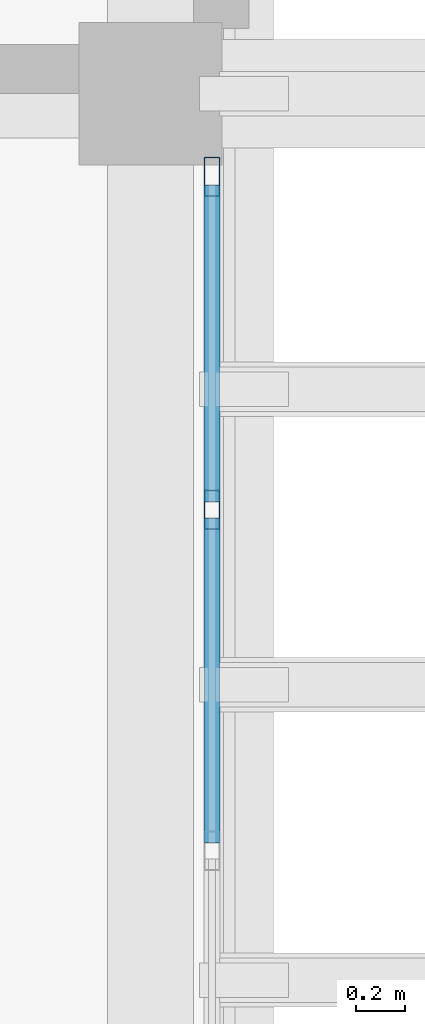
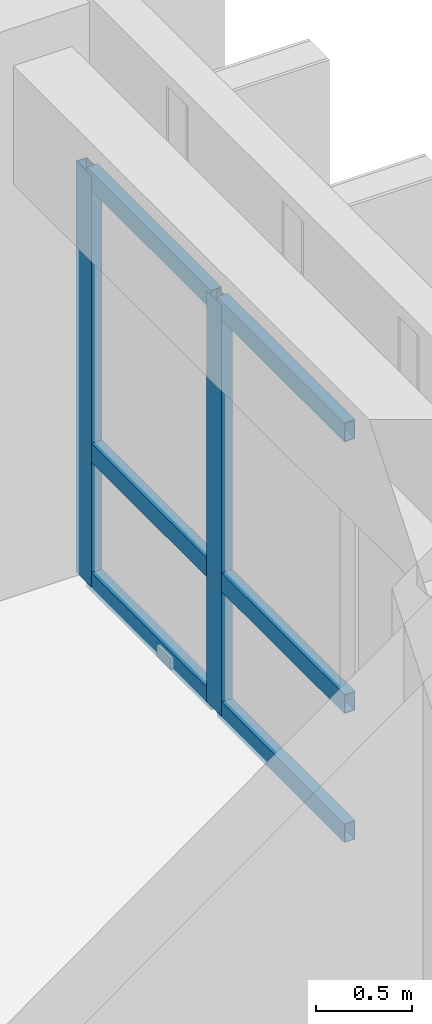
# One storey, part 16 of 49: 8 members, 1 element without a shape of its own.
"""IFC4 building model written with IfcOpenShell, lengths in metres."""

from ifc_helpers import new_model, si_unit, direction, frame, origin, origin_2d, place, context, subcontext, project, spatial, hollow_rectangle, extrude, material, layer, layer_set, material_profile, profile_set, type_object, element, aggregate, save


model = new_model("IFC4")

# Units and contexts
model_context = context("Model", 3, precision=1e-05, world=origin(), true_north=direction((0.0, 1.0)))
body_context = subcontext(model_context, "Body", "Model", "MODEL_VIEW")
ifc_project = project(units=[si_unit("LENGTHUNIT", "METRE"), si_unit("AREAUNIT", "SQUARE_METRE"), si_unit("VOLUMEUNIT", "CUBIC_METRE"), si_unit("PLANEANGLEUNIT", "RADIAN"), si_unit("MASSUNIT", "GRAM", prefix="KILO")], contexts=[model_context])

# Site, building, storey
site_placement = place(None, origin())
site = spatial("IfcSite", under=ifc_project, at=site_placement, CompositionType="ELEMENT")
building_placement = place(site_placement, origin())
building = spatial("IfcBuilding", under=site, at=building_placement, Name="Nakhvara Creek Congress Hotel", CompositionType="ELEMENT")
storey_placement = place(building_placement, frame((0.0, 0.0, 39.0)))
storey = spatial("IfcBuildingStorey", under=building, at=storey_placement, Name="L09", CompositionType="ELEMENT", Elevation=39.0)

# Curtain wall, members
ifc_material_1 = material(Name="Bronze-anodised aluminium AW-6063-T6 and double-silver low-E glass", Category="aluminium")
ifc_layer = layer(ifc_material_1, 0.199951171875)
ifc_layer_set = layer_set([ifc_layer], Name="Bronze-anodised aluminium AW-6063-T6 and double-silver low-E glass")
curtain_wall_type = type_object("IfcCurtainWallType", Name="CW-HTL-UNIT", PredefinedType="USERDEFINED", material=ifc_layer_set)
curtain_wall_placement = place(storey_placement, origin())
curtain_wall = element("IfcCurtainWall", 1, at=curtain_wall_placement, inside=storey, type_object=curtain_wall_type, Name="Curtain Wall CW301", ObjectType="UNITISED", PredefinedType="USERDEFINED")
ifc_material_2 = material(Name="Bronze-anodised aluminium AW-6063-T6", Category="aluminium")
ifc_material_profile_1 = material_profile(ifc_material_2, hollow_rectangle(XDim=0.06494140625, YDim=0.159912109375, WallThickness=0.00390625, at=origin_2d()), Name="ALU-MULL 65x160x4", Category="LoadBearing")
ifc_profile_set_1 = profile_set([ifc_material_profile_1], Name="Bronze-anodised aluminium AW-6063-T6")
member_type_1 = type_object("IfcMemberType", Name="CW-MULL-160", PredefinedType="MULLION", material=ifc_profile_set_1)
member_1_placement = place(storey_placement, frame((179.60009765625, 81.262451171875, 0.0), z_axis=(0.0, 0.0, 1.0), x_axis=(1.0, 0.0, 0.0)))
member_1 = element("IfcMember", 2, at=member_1_placement, type_object=member_type_1, Name="CW301 mullion 1", PredefinedType="MULLION", context=body_context, shape_type="SweptSolid", body=[
    extrude(hollow_rectangle(XDim=0.06494140625, YDim=0.159912109375, WallThickness=0.00390625, at=origin_2d()), origin(), (0.0, 0.0, 1.0), 2.60205078125),
])
member_2_placement = place(storey_placement, frame((179.60009765625, 79.909912109375, 0.0), z_axis=(0.0, 0.0, 1.0), x_axis=(1.0, 0.0, 0.0)))
member_2 = element("IfcMember", 3, at=member_2_placement, type_object=member_type_1, Name="CW301 mullion 2", PredefinedType="MULLION", context=body_context, shape_type="SweptSolid", body=[
    extrude(hollow_rectangle(XDim=0.06494140625, YDim=0.159912109375, WallThickness=0.00390625, at=origin_2d()), origin(), (0.0, 0.0, 1.0), 2.60205078125),
])
ifc_material_profile_2 = material_profile(ifc_material_2, hollow_rectangle(XDim=0.06494140625, YDim=0.1201171875, WallThickness=0.00390625, at=origin_2d()), Name="ALU-TRAN 65x120x4", Category="LoadBearing")
ifc_profile_set_2 = profile_set([ifc_material_profile_2], Name="Bronze-anodised aluminium AW-6063-T6")
member_type_2 = type_object("IfcMemberType", Name="CW-TRAN-120", PredefinedType="USERDEFINED", material=ifc_profile_set_2)
member_3_placement = place(storey_placement, frame((179.60009765625, 81.22998046875, 0.032470703125), z_axis=(0.0, -1.0, 0.0), x_axis=(1.0, 0.0, 0.0)))
member_3 = element("IfcMember", 4, at=member_3_placement, type_object=member_type_2, Name="CW301 transom 1.1", ObjectType="TRANSOM", PredefinedType="USERDEFINED", context=body_context, shape_type="SweptSolid", body=[
    extrude(hollow_rectangle(XDim=0.06494140625, YDim=0.1201171875, WallThickness=0.00390625, at=origin_2d()), origin(), (0.0, 0.0, 1.0), 1.28759765625),
])
member_4_placement = place(storey_placement, frame((179.60009765625, 81.22998046875, 0.85009765625), z_axis=(0.0, -1.0, 0.0), x_axis=(1.0, 0.0, 0.0)))
member_4 = element("IfcMember", 5, at=member_4_placement, type_object=member_type_2, Name="CW301 transom 1.2", ObjectType="TRANSOM", PredefinedType="USERDEFINED", context=body_context, shape_type="SweptSolid", body=[
    extrude(hollow_rectangle(XDim=0.06494140625, YDim=0.1201171875, WallThickness=0.00390625, at=origin_2d()), origin(), (0.0, 0.0, 1.0), 1.28759765625),
])
member_5_placement = place(storey_placement, frame((179.60009765625, 81.22998046875, 2.569580078125), z_axis=(0.0, -1.0, 0.0), x_axis=(1.0, 0.0, 0.0)))
member_5 = element("IfcMember", 6, at=member_5_placement, type_object=member_type_2, Name="CW301 transom 1.3", ObjectType="TRANSOM", PredefinedType="USERDEFINED", context=body_context, shape_type="SweptSolid", body=[
    extrude(hollow_rectangle(XDim=0.06494140625, YDim=0.1201171875, WallThickness=0.00390625, at=origin_2d()), origin(), (0.0, 0.0, 1.0), 1.28759765625),
])
member_6_placement = place(storey_placement, frame((179.60009765625, 79.87744140625, 0.032470703125), z_axis=(0.0, -1.0, 0.0), x_axis=(1.0, 0.0, 0.0)))
member_6 = element("IfcMember", 7, at=member_6_placement, type_object=member_type_2, Name="CW301 transom 2.1", ObjectType="TRANSOM", PredefinedType="USERDEFINED", context=body_context, shape_type="SweptSolid", body=[
    extrude(hollow_rectangle(XDim=0.06494140625, YDim=0.1201171875, WallThickness=0.00390625, at=origin_2d()), origin(), (0.0, 0.0, 1.0), 1.31982421875),
])
member_7_placement = place(storey_placement, frame((179.60009765625, 79.87744140625, 0.85009765625), z_axis=(0.0, -1.0, 0.0), x_axis=(1.0, 0.0, 0.0)))
member_7 = element("IfcMember", 8, at=member_7_placement, type_object=member_type_2, Name="CW301 transom 2.2", ObjectType="TRANSOM", PredefinedType="USERDEFINED", context=body_context, shape_type="SweptSolid", body=[
    extrude(hollow_rectangle(XDim=0.06494140625, YDim=0.1201171875, WallThickness=0.00390625, at=origin_2d()), origin(), (0.0, 0.0, 1.0), 1.31982421875),
])
member_8_placement = place(storey_placement, frame((179.60009765625, 79.87744140625, 2.569580078125), z_axis=(0.0, -1.0, 0.0), x_axis=(1.0, 0.0, 0.0)))
member_8 = element("IfcMember", 9, at=member_8_placement, type_object=member_type_2, Name="CW301 transom 2.3", ObjectType="TRANSOM", PredefinedType="USERDEFINED", context=body_context, shape_type="SweptSolid", body=[
    extrude(hollow_rectangle(XDim=0.06494140625, YDim=0.1201171875, WallThickness=0.00390625, at=origin_2d()), origin(), (0.0, 0.0, 1.0), 1.31982421875),
])
aggregate(curtain_wall, [member_1, member_2, member_3, member_4, member_5, member_6, member_7, member_8])

save(model, "model.ifc")
